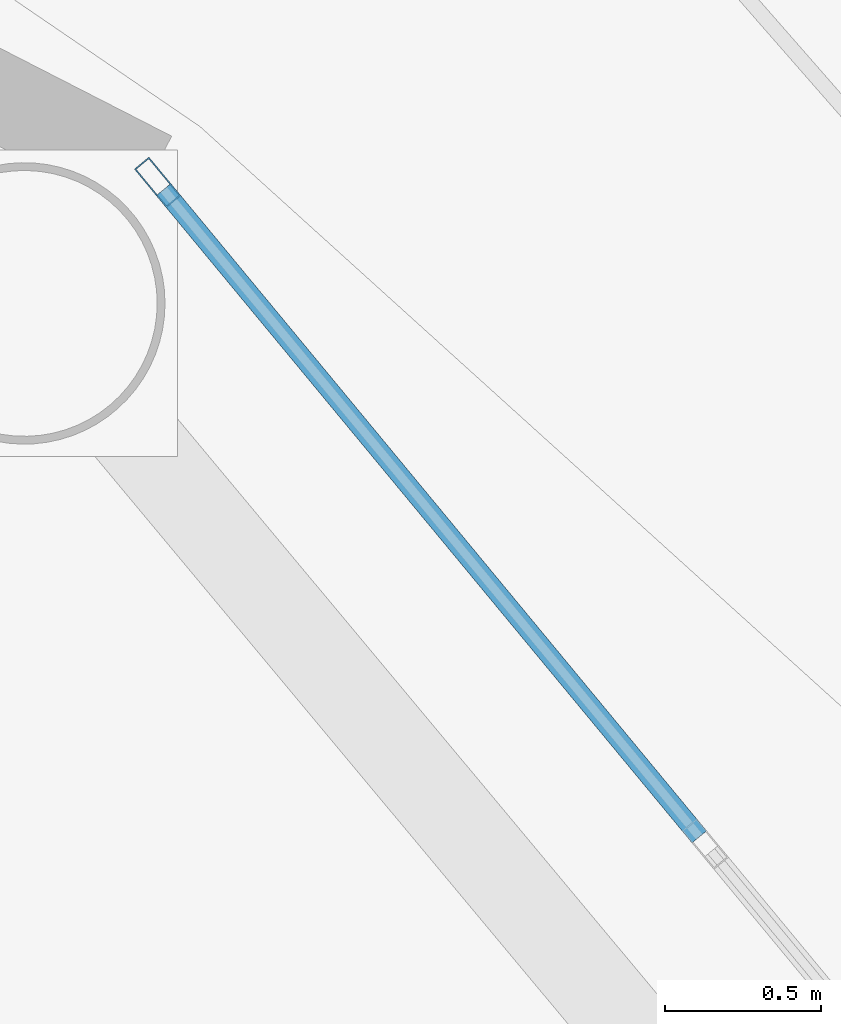
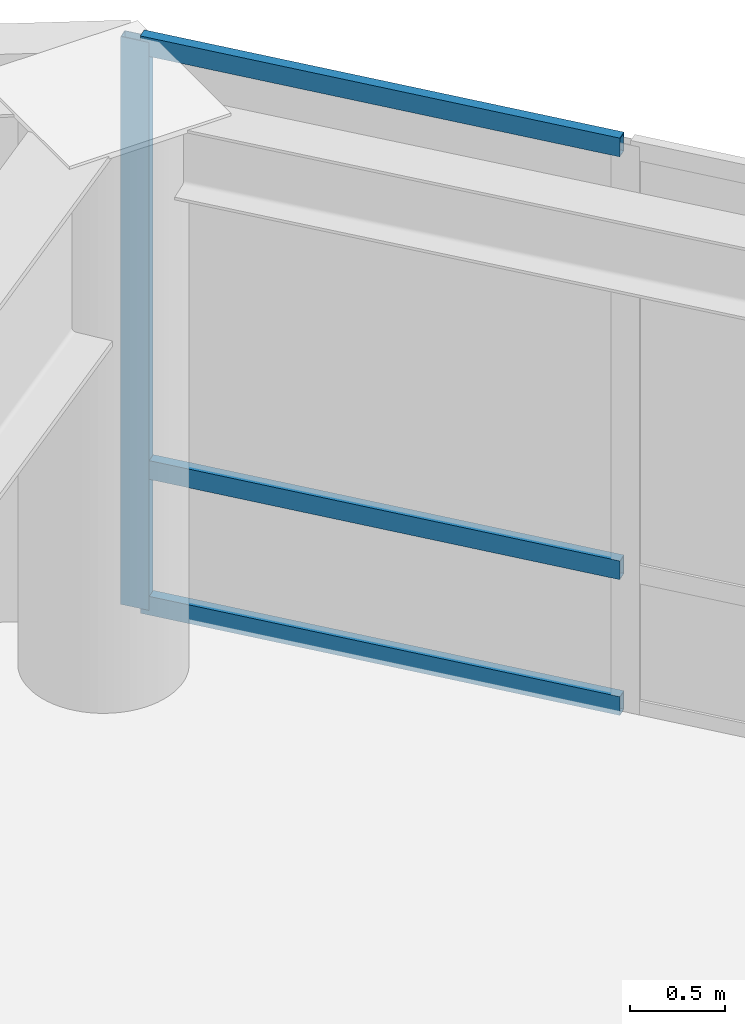
# One storey, part 14 of 24: 4 members, 1 element without a shape of its own.
"""IFC4 building model written with IfcOpenShell, lengths in metres."""

from ifc_helpers import new_model, si_unit, direction, frame, origin, origin_2d, place, context, subcontext, project, spatial, hollow_rectangle, extrude, material, layer, layer_set, material_profile, profile_set, type_object, element, aggregate, save


model = new_model("IFC4")

# Units and contexts
model_context = context("Model", 3, precision=1e-05, world=origin(), true_north=direction((0.0, 1.0)))
body_context = subcontext(model_context, "Body", "Model", "MODEL_VIEW")
ifc_project = project(units=[si_unit("LENGTHUNIT", "METRE"), si_unit("AREAUNIT", "SQUARE_METRE"), si_unit("VOLUMEUNIT", "CUBIC_METRE"), si_unit("PLANEANGLEUNIT", "RADIAN"), si_unit("MASSUNIT", "GRAM", prefix="KILO")], contexts=[model_context])

# Site, building, storey
site_placement = place(None, origin())
site = spatial("IfcSite", under=ifc_project, at=site_placement, CompositionType="ELEMENT")
building_placement = place(site_placement, origin())
building = spatial("IfcBuilding", under=site, at=building_placement, Name="Sarneth Arch Tower", CompositionType="ELEMENT")
storey_placement = place(building_placement, frame((0.0, 0.0, 312.60009765625)))
storey = spatial("IfcBuildingStorey", under=building, at=storey_placement, Name="L81", CompositionType="ELEMENT", Elevation=312.60009765625)

# Curtain wall, members
ifc_material_1 = material(Name="Anodised aluminium Type AA25 and solar-control low-e laminated IGU", Category="aluminium")
ifc_layer = layer(ifc_material_1, 0.179931640625)
ifc_layer_set = layer_set([ifc_layer], Name="Anodised aluminium Type AA25 and solar-control low-e laminated IGU")
curtain_wall_type = type_object("IfcCurtainWallType", Name="CW-RES-HIGH", PredefinedType="NOTDEFINED", material=ifc_layer_set)
curtain_wall_placement = place(storey_placement, origin())
curtain_wall = element("IfcCurtainWall", 1, at=curtain_wall_placement, inside=storey, type_object=curtain_wall_type, Name="L81 Unitised curtain wall facet 02", PredefinedType="NOTDEFINED")
ifc_material_2 = material(Name="Anodised Aluminium 6063-T6", Category="aluminium")
ifc_material_profile_1 = material_profile(ifc_material_2, hollow_rectangle(XDim=0.06005859375, YDim=0.159912109375, WallThickness=0.00390625, at=origin_2d()), Name="AL-MULL-160x60x4")
ifc_profile_set_1 = profile_set([ifc_material_profile_1], Name="Anodised Aluminium 6063-T6")
member_type_1 = type_object("IfcMemberType", Name="CW-MULLION", PredefinedType="MULLION", material=ifc_profile_set_1)
member_1_placement = place(storey_placement, frame((66.401611328125, 55.96337890625, 0.0), z_axis=(0.0, 0.0, 1.0), x_axis=(-0.770359245933, -0.637610094184, 0.0)))
member_1 = element("IfcMember", 2, at=member_1_placement, type_object=member_type_1, Name="CW-SYS-6 mullion 4", PredefinedType="MULLION", context=body_context, shape_type="SweptSolid", body=[
    extrude(hollow_rectangle(XDim=0.06005859375, YDim=0.159912109375, WallThickness=0.00390625, at=origin_2d()), origin(), (0.0, 0.0, 1.0), 3.639892578125),
])
ifc_material_3 = material(Name="Anodised Aluminium 6063-T6", Category="aluminium")
ifc_material_profile_2 = material_profile(ifc_material_3, hollow_rectangle(XDim=0.06005859375, YDim=0.1201171875, WallThickness=0.00390625, at=origin_2d()), Name="AL-TRAN-120x60x4")
ifc_profile_set_2 = profile_set([ifc_material_profile_2], Name="Anodised Aluminium 6063-T6")
member_type_2 = type_object("IfcMemberType", Name="CW-TRANSOM", PredefinedType="USERDEFINED", material=ifc_profile_set_2)
member_2_placement = place(storey_placement, frame((68.1337890625, 53.87060546875, 0.02978515625), z_axis=(-0.637606765719, 0.770362000821, 0.0), x_axis=(-0.770362000821, -0.637606765719, 0.0)))
member_2 = element("IfcMember", 3, at=member_2_placement, type_object=member_type_2, Name="CW-SYS-6 transom 3.1", ObjectType="TRANSOM", PredefinedType="USERDEFINED", context=body_context, shape_type="SweptSolid", body=[
    extrude(hollow_rectangle(XDim=0.06005859375, YDim=0.1201171875, WallThickness=0.00390625, at=origin_2d()), origin(), (0.0, 0.0, 1.0), 2.686767578125),
])
member_3_placement = place(storey_placement, frame((68.1337890625, 53.87060546875, 0.89990234375), z_axis=(-0.637606765719, 0.770362000821, 0.0), x_axis=(-0.770362000821, -0.637606765719, 0.0)))
member_3 = element("IfcMember", 4, at=member_3_placement, type_object=member_type_2, Name="CW-SYS-6 transom 3.2", ObjectType="TRANSOM", PredefinedType="USERDEFINED", context=body_context, shape_type="SweptSolid", body=[
    extrude(hollow_rectangle(XDim=0.06005859375, YDim=0.1201171875, WallThickness=0.00390625, at=origin_2d()), origin(), (0.0, 0.0, 1.0), 2.686767578125),
])
member_4_placement = place(storey_placement, frame((68.1337890625, 53.87060546875, 3.60986328125), z_axis=(-0.637606765719, 0.770362000821, 0.0), x_axis=(-0.770362000821, -0.637606765719, 0.0)))
member_4 = element("IfcMember", 5, at=member_4_placement, type_object=member_type_2, Name="CW-SYS-6 transom 3.3", ObjectType="TRANSOM", PredefinedType="USERDEFINED", context=body_context, shape_type="SweptSolid", body=[
    extrude(hollow_rectangle(XDim=0.06005859375, YDim=0.1201171875, WallThickness=0.00390625, at=origin_2d()), origin(), (0.0, 0.0, 1.0), 2.686767578125),
])
aggregate(curtain_wall, [member_1, member_2, member_3, member_4])

save(model, "model.ifc")
